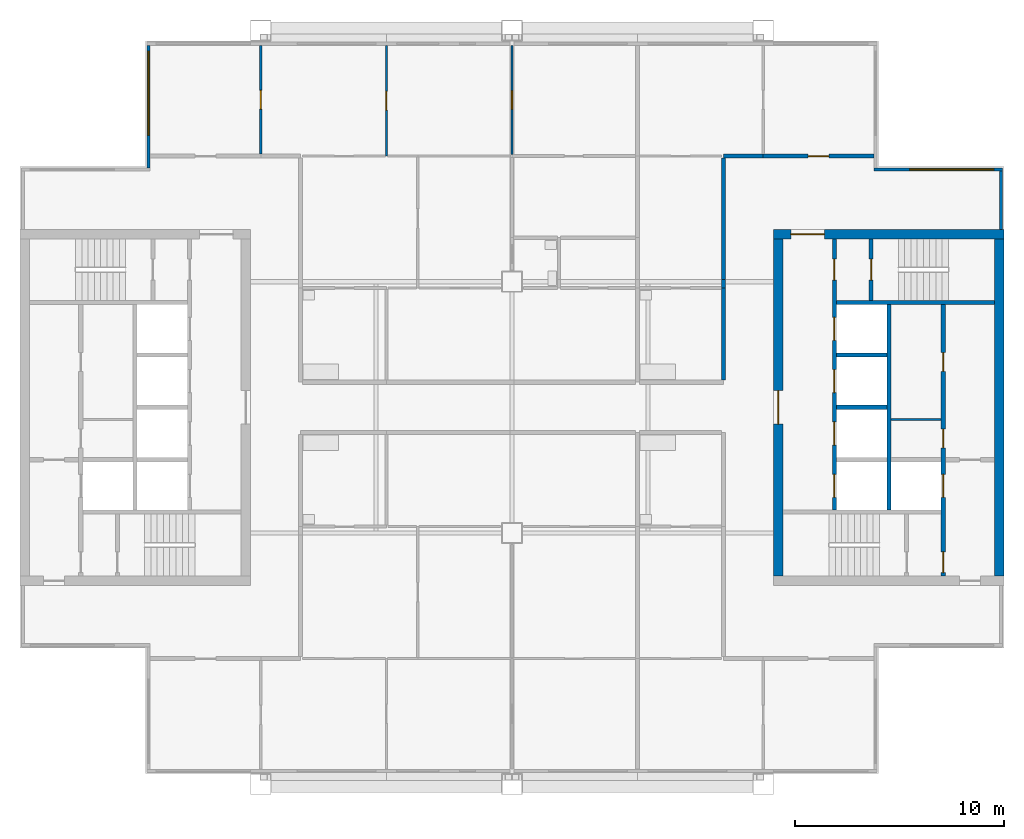
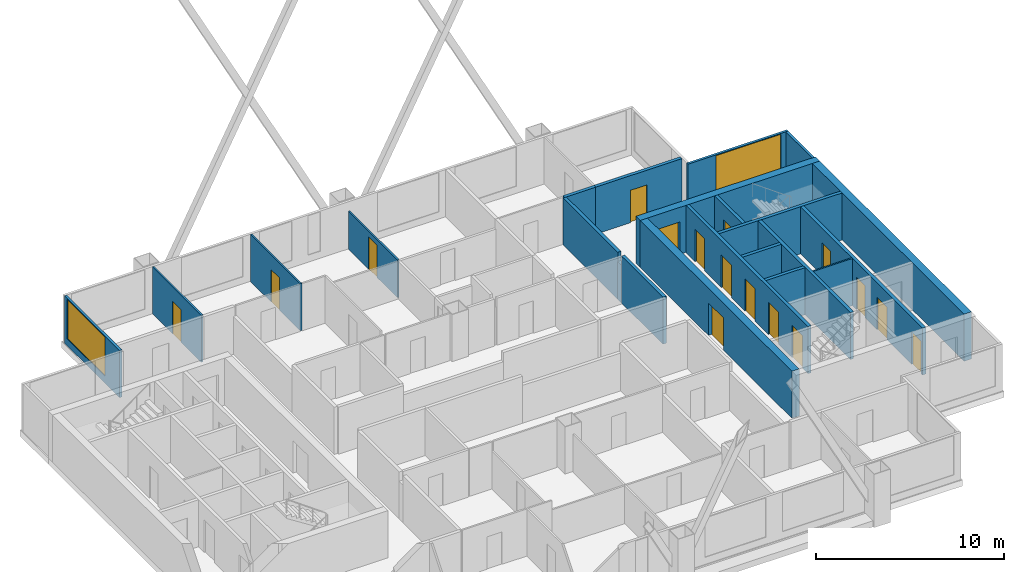
# One storey, part 5 of 8: 22 walls, 16 doors, 2 windows, 18 openings.
"""IFC4 building model written with IfcOpenShell, lengths in metres."""

import ifcopenshell
import ifcopenshell.guid

model = None  # the IFC model being written
_history = None  # IfcOwnerHistory: only IFC2X3 demands one
_inside = {}  # id of a spatial element -> (the spatial element, [elements in it])
_under = {}  # id of a project, library or spatial element -> (it, [spatial elements below it])
_declared = {}  # id of a project -> (the project, [libraries it declares])
_typed = {}  # id of a type object -> (the type object, [elements of that type])
_made_of = {}  # id of a material, layer set ... -> (it, [elements and type objects made of it])


def new_model(schema):
    """Start an empty IFC model of exactly this schema.

    Asked for "IFC4X3", IfcOpenShell would pick the latest addendum, in which some entities
    have other attributes; the version numbers below select the first issue.
    IFC2X3 requires an IfcOwnerHistory on every rooted entity: one is made here for all.
    """
    global model, _history
    if schema == "IFC4X3":
        model = ifcopenshell.file(schema_version=(4, 3, 0, 0))
    else:
        model = ifcopenshell.file(schema=schema)
    _inside.clear()
    _under.clear()
    _declared.clear()
    _typed.clear()
    _made_of.clear()
    _history = None
    if model.schema == "IFC2X3":
        org = make("IfcOrganization", Name="unknown")
        user = make(
            "IfcPersonAndOrganization",
            ThePerson=make("IfcPerson", FamilyName="unknown"),
            TheOrganization=org,
        )
        app = make(
            "IfcApplication",
            ApplicationDeveloper=org,
            Version="unknown",
            ApplicationFullName="unknown",
            ApplicationIdentifier="unknown",
        )
        _history = make(
            "IfcOwnerHistory",
            OwningUser=user,
            OwningApplication=app,
            ChangeAction="ADDED",
            CreationDate=0,
        )
    return model


def make(cls, **values):
    """One entity of the class cls with the attributes given. An attribute that is None is left unset."""
    return model.create_entity(
        cls, **{name: value for name, value in values.items() if value is not None}
    )


def rooted(cls, **values):
    """An entity with a GlobalId (a new one), such as an element, a storey or a relation."""
    return make(cls, GlobalId=ifcopenshell.guid.new(), OwnerHistory=_history, **values)


def si_unit(unit_type, name, prefix=None):
    """IfcSIUnit, for example si_unit("LENGTHUNIT", "METRE", prefix="MILLI")."""
    return make("IfcSIUnit", UnitType=unit_type, Prefix=prefix, Name=name)


def assignment(units):
    """IfcUnitAssignment: the units of a project."""
    return None if units is None else make("IfcUnitAssignment", Units=units)


def point(xyz):
    """IfcCartesianPoint."""
    return None if xyz is None else make("IfcCartesianPoint", Coordinates=xyz)


def direction(xyz):
    """IfcDirection."""
    return None if xyz is None else make("IfcDirection", DirectionRatios=xyz)


def frame(location, z_axis=None, x_axis=None):
    """IfcAxis2Placement3D, a coordinate frame: its origin and axes. An axis left out is left unset."""
    return make(
        "IfcAxis2Placement3D",
        Location=point(location),
        Axis=direction(z_axis),
        RefDirection=direction(x_axis),
    )


def frame_2d(location, x_axis=None):
    """IfcAxis2Placement2D, a coordinate frame in the plane: its origin and x axis."""
    return make(
        "IfcAxis2Placement2D", Location=point(location), RefDirection=direction(x_axis)
    )


def origin():
    """The frame at (0, 0, 0) with its axes left unset."""
    return frame((0.0, 0.0, 0.0))


def place(relative_to, where):
    """IfcLocalPlacement: puts the frame where relative to a parent placement (None: the world)."""
    return make(
        "IfcLocalPlacement", PlacementRelTo=relative_to, RelativePlacement=where
    )


def context(
    kind, dimensions, precision=None, world=None, true_north=None, identifier=None
):
    """IfcGeometricRepresentationContext, for example the 3D "Model" context."""
    return make(
        "IfcGeometricRepresentationContext",
        ContextIdentifier=identifier,
        ContextType=kind,
        CoordinateSpaceDimension=dimensions,
        Precision=precision,
        WorldCoordinateSystem=world,
        TrueNorth=true_north,
    )


def subcontext(parent, identifier, kind, view, scale=None):
    """IfcGeometricRepresentationSubContext, for example "Body" below "Model"."""
    return make(
        "IfcGeometricRepresentationSubContext",
        ContextIdentifier=identifier,
        ContextType=kind,
        ParentContext=parent,
        TargetScale=scale,
        TargetView=view,
    )


def project(units=None, contexts=None):
    """IfcProject with its units and contexts."""
    return rooted(
        "IfcProject",
        Name="project",
        RepresentationContexts=contexts,
        UnitsInContext=assignment(units),
    )


def spatial(cls, under=None, at=None, **own):
    """A site, building, storey or space (cls), placed at a placement, below another one or the project."""
    s = rooted(cls, ObjectPlacement=at, **own)
    if under is not None:
        _under.setdefault(under.id(), (under, []))[1].append(s)
    return s


def profile(cls, at=None, kind="AREA", **sizes):
    """A parametric profile (cls). Its sizes go by their IFC names, for example OverallWidth=200.0."""
    return make(cls, ProfileType=kind, Position=at, **sizes)


def rectangle(**sizes):
    """IfcRectangleProfileDef."""
    return profile("IfcRectangleProfileDef", **sizes)


def extrude(swept, where, along, depth):
    """IfcExtrudedAreaSolid: the profile swept, set in the frame where, extruded along a direction by depth."""
    return make(
        "IfcExtrudedAreaSolid",
        SweptArea=swept,
        Position=where,
        ExtrudedDirection=direction(along),
        Depth=depth,
    )


def shape(context_of_items, identifier, shape_type, items):
    """IfcShapeRepresentation: the items that make up one representation, for example the "Body"."""
    return make(
        "IfcShapeRepresentation",
        ContextOfItems=context_of_items,
        RepresentationIdentifier=identifier,
        RepresentationType=shape_type,
        Items=items,
    )


def material(Name=None, Category=None):
    """IfcMaterial."""
    return make("IfcMaterial", Name=Name, Category=Category)


def layer(
    of_material, thickness, ventilated=None, Name=None, Category=None, Priority=None
):
    """IfcMaterialLayer: one layer of a wall or slab, of a material (None: an air gap)."""
    return make(
        "IfcMaterialLayer",
        Material=of_material,
        LayerThickness=thickness,
        IsVentilated=ventilated,
        Name=Name,
        Category=Category,
        Priority=Priority,
    )


def layer_set(layers, Name=None):
    """IfcMaterialLayerSet."""
    return make("IfcMaterialLayerSet", MaterialLayers=layers, LayerSetName=Name)


def made_of(thing, what):
    """Note that an element or type object is made of a material, layer set ...; save() writes the relation."""
    if what is not None:
        _made_of.setdefault(what.id(), (what, []))[1].append(thing)
    return thing


def type_object(cls, material=None, **own):
    """A type object (cls), such as IfcWallType, which elements share."""
    return made_of(rooted(cls, **own), material)


def element(
    cls,
    number,
    at=None,
    inside=None,
    cuts=None,
    type_object=None,
    material=None,
    context=None,
    identifier="Body",
    shape_type=None,
    held_by="IfcProductDefinitionShape",
    body=None,
    shapes=None,
    **own,
):
    """One element of the class cls, such as IfcWall. Its Tag is "e" and its number.

    at: its placement. inside: the storey or other place that contains it. cuts: it is an
    opening in that element (IfcRelVoidsElement). A single representation is given by context,
    identifier, shape_type and body (its items); several are given by shapes. held_by: the class
    of the entity that holds the representations. save() writes the other relations.
    """
    e = rooted(cls, Tag="e%d" % number, ObjectPlacement=at, **own)
    if body is not None:
        shapes = [shape(context, identifier, shape_type, body)]
    if shapes is not None:
        e.Representation = make(held_by, Representations=shapes)
    if inside is not None:
        _inside.setdefault(inside.id(), (inside, []))[1].append(e)
    if cuts is not None:
        rooted(
            "IfcRelVoidsElement", RelatingBuildingElement=cuts, RelatedOpeningElement=e
        )
    if type_object is not None:
        _typed.setdefault(type_object.id(), (type_object, []))[1].append(e)
    return made_of(e, material)


def fill(opening, filler):
    """IfcRelFillsElement: the door or window that sits in an opening."""
    return rooted(
        "IfcRelFillsElement",
        RelatingOpeningElement=opening,
        RelatedBuildingElement=filler,
    )


def aggregate(whole, parts):
    """IfcRelAggregates: a whole, such as a stair, and the parts it consists of."""
    return rooted("IfcRelAggregates", RelatingObject=whole, RelatedObjects=parts)


def save(model, path):
    """Write the relations noted so far, then the file.

    IfcRelAggregates (storeys below a building ...), IfcRelContainedInSpatialStructure (elements
    in a storey), IfcRelDefinesByType, IfcRelAssociatesMaterial and IfcRelDeclares: one each for
    every whole, place, type object, material and project.
    """
    for whole, parts in _under.values():
        aggregate(whole, parts)
    for where, things in _inside.values():
        rooted(
            "IfcRelContainedInSpatialStructure",
            RelatedElements=things,
            RelatingStructure=where,
        )
    for kind, things in _typed.values():
        rooted("IfcRelDefinesByType", RelatedObjects=things, RelatingType=kind)
    for what, things in _made_of.values():
        rooted("IfcRelAssociatesMaterial", RelatedObjects=things, RelatingMaterial=what)
    for by, libraries in _declared.values():
        rooted("IfcRelDeclares", RelatingContext=by, RelatedDefinitions=libraries)
    model.write(path)


model = new_model("IFC4")

# Units and contexts
model_context = context("Model", 3, precision=1e-05, world=origin(), true_north=direction((0.0, 1.0)))
body_context = subcontext(model_context, "Body", "Model", "MODEL_VIEW")
ifc_project = project(units=[si_unit("LENGTHUNIT", "METRE"), si_unit("AREAUNIT", "SQUARE_METRE"), si_unit("VOLUMEUNIT", "CUBIC_METRE"), si_unit("PLANEANGLEUNIT", "RADIAN"), si_unit("MASSUNIT", "GRAM", prefix="KILO")], contexts=[model_context])

# Site, building, storey
site_placement = place(None, origin())
site = spatial("IfcSite", under=ifc_project, at=site_placement, CompositionType="ELEMENT")
building_placement = place(site_placement, origin())
building = spatial("IfcBuilding", under=site, at=building_placement, Name="Kitamizu Gate Tower and Museum", CompositionType="ELEMENT")
storey_placement = place(building_placement, frame((0.0, 0.0, 259.35009765625)))
storey = spatial("IfcBuildingStorey", under=building, at=storey_placement, Name="L70", CompositionType="ELEMENT", Elevation=259.35009765625)

# Wall, opening, door
ifc_material_1 = material(Name="Concrete Fc42", Category="concrete")
ifc_layer_1 = layer(ifc_material_1, 0.449951171875)
ifc_layer_set_1 = layer_set([ifc_layer_1], Name="Concrete Fc42")
wall_type_1 = type_object("IfcWallType", Name="Core wall 450 EI 90", PredefinedType="SHEAR", material=ifc_layer_set_1)
wall_1_placement = place(storey_placement, frame((59.5, 38.27490234375, 0.0), z_axis=(0.0, 0.0, 1.0), x_axis=(-1.0, 0.0, 0.0)))
wall_1 = element("IfcWall", 1, at=wall_1_placement, inside=storey, type_object=wall_type_1, Name="Core wall EN", PredefinedType="SHEAR", context=body_context, shape_type="SweptSolid", body=[
    extrude(rectangle(XDim=11.0, YDim=0.449951171875, at=frame_2d((5.5, 0.0))), origin(), (0.0, 0.0, 1.0), 3.0498046875),
])
opening_1_placement = place(wall_1_placement, frame((8.574951171875, 0.0, 0.0)))
opening_1 = element("IfcOpeningElement", 2, at=opening_1_placement, cuts=wall_1, Name="Opening L70-045", PredefinedType="OPENING", context=body_context, shape_type="SweptSolid", body=[
    extrude(rectangle(XDim=1.60009765625, YDim=2.10009765625, at=frame_2d((0.800048828125, 1.050048828125))), frame((0.0, 0.23486328125, 0.0), z_axis=(0.0, -1.0, 0.0), x_axis=(1.0, 0.0, 0.0)), (0.0, 0.0, 1.0), 0.469970703125),
])
ifc_material_2 = material(Name="Timber door set", Category="wood")
door_type_1 = type_object("IfcDoorType", Name="Entrance door 1600", OperationType="DOUBLE_DOOR_SINGLE_SWING", PredefinedType="DOOR", material=ifc_material_2)
door_1_placement = place(opening_1_placement, origin())
door_1 = element("IfcDoor", 3, at=door_1_placement, inside=storey, type_object=door_type_1, Name="Lobby door L70-045", OperationType="DOUBLE_DOOR_SINGLE_SWING", OverallHeight=2.10009765625, OverallWidth=1.60009765625, PredefinedType="DOOR", context=body_context, shape_type="SweptSolid", body=[
    extrude(rectangle(XDim=1.60009765625, YDim=2.10009765625, at=frame_2d((0.800048828125, 1.050048828125))), frame((0.0, 0.02490234375, 0.0), z_axis=(0.0, -1.0, 0.0), x_axis=(1.0, 0.0, 0.0)), (0.0, 0.0, 1.0), 0.050048828125),
])
fill(opening_1, door_1)

# Wall
wall_2_placement = place(storey_placement, frame((59.27490234375, 21.949951171875, 0.0), z_axis=(0.0, 0.0, 1.0), x_axis=(0.0, 1.0, 0.0)))
element("IfcWall", 4, at=wall_2_placement, inside=storey, type_object=wall_type_1, Name="Core wall EOUT", PredefinedType="SHEAR", context=body_context, shape_type="SweptSolid", body=[
    extrude(rectangle(XDim=16.10009765625, YDim=0.449951171875, at=frame_2d((8.050048828125, 0.0))), origin(), (0.0, 0.0, 1.0), 3.0498046875),
])

# Wall, opening, door
wall_3_placement = place(storey_placement, frame((48.72509765625, 21.949951171875, 0.0), z_axis=(0.0, 0.0, 1.0), x_axis=(0.0, 1.0, 0.0)))
wall_3 = element("IfcWall", 5, at=wall_3_placement, inside=storey, type_object=wall_type_1, Name="Core wall EARC", PredefinedType="SHEAR", context=body_context, shape_type="SweptSolid", body=[
    extrude(rectangle(XDim=16.10009765625, YDim=0.449951171875, at=frame_2d((8.050048828125, 0.0))), origin(), (0.0, 0.0, 1.0), 3.0498046875),
])
opening_2_placement = place(wall_3_placement, frame((7.25, 0.0, 0.0)))
opening_2 = element("IfcOpeningElement", 6, at=opening_2_placement, cuts=wall_3, Name="Opening L70-046", PredefinedType="OPENING", context=body_context, shape_type="SweptSolid", body=[
    extrude(rectangle(XDim=1.60009765625, YDim=2.10009765625, at=frame_2d((0.800048828125, 1.050048828125))), frame((0.0, 0.23486328125, 0.0), z_axis=(0.0, -1.0, 0.0), x_axis=(1.0, 0.0, 0.0)), (0.0, 0.0, 1.0), 0.469970703125),
])
door_2_placement = place(opening_2_placement, origin())
door_2 = element("IfcDoor", 7, at=door_2_placement, inside=storey, type_object=door_type_1, Name="Lobby door L70-046", OperationType="DOUBLE_DOOR_SINGLE_SWING", OverallHeight=2.10009765625, OverallWidth=1.60009765625, PredefinedType="DOOR", context=body_context, shape_type="SweptSolid", body=[
    extrude(rectangle(XDim=1.60009765625, YDim=2.10009765625, at=frame_2d((0.800048828125, 1.050048828125))), frame((0.0, 0.02490234375, 0.0), z_axis=(0.0, -1.0, 0.0), x_axis=(1.0, 0.0, 0.0)), (0.0, 0.0, 1.0), 0.050048828125),
])
fill(opening_2, door_2)

# Wall
ifc_material_3 = material(Name="Gypsum board on galvanised stud")
ifc_layer_2 = layer(ifc_material_3, 0.10009765625)
ifc_layer_set_2 = layer_set([ifc_layer_2], Name="Gypsum board on galvanised stud")
wall_type_2 = type_object("IfcWallType", Name="Partition 100", PredefinedType="PARTITIONING", material=ifc_layer_set_2)
wall_4_placement = place(storey_placement, frame((56.5, 29.425048828125, 0.0), z_axis=(0.0, 0.0, 1.0), x_axis=(-1.0, 0.0, 0.0)))
element("IfcWall", 8, at=wall_4_placement, inside=storey, type_object=wall_type_2, Name="Partition EPF1", PredefinedType="PARTITIONING", context=body_context, shape_type="SweptSolid", body=[
    extrude(rectangle(XDim=2.39990234375, YDim=0.10009765625, at=frame_2d((1.199951171875, 0.0))), origin(), (0.0, 0.0, 1.0), 3.0498046875),
])

# Wall, opening, door
ifc_material_4 = material(Name="Gypsum board on galvanised stud")
ifc_layer_3 = layer(ifc_material_4, 0.10009765625)
ifc_layer_set_3 = layer_set([ifc_layer_3], Name="Gypsum board on galvanised stud")
wall_type_3 = type_object("IfcWallType", Name="Partition 100 NOT RATED", PredefinedType="PARTITIONING", material=ifc_layer_set_3)
wall_5_placement = place(storey_placement, frame((24.0, 42.10009765625, 0.0), z_axis=(0.0, 0.0, 1.0), x_axis=(0.0, 1.0, 0.0)))
wall_5 = element("IfcWall", 9, at=wall_5_placement, inside=storey, type_object=wall_type_3, Name="Partition L70-026", PredefinedType="PARTITIONING", context=body_context, shape_type="SweptSolid", body=[
    extrude(rectangle(XDim=5.179931640625, YDim=0.10009765625, at=frame_2d((2.58984375, 0.0))), origin(), (0.0, 0.0, 1.0), 3.0498046875),
])
opening_3_placement = place(wall_5_placement, frame((2.139892578125, 0.0, 0.0)))
opening_3 = element("IfcOpeningElement", 10, at=opening_3_placement, cuts=wall_5, Name="Opening L70-011", PredefinedType="OPENING", context=body_context, shape_type="SweptSolid", body=[
    extrude(rectangle(XDim=0.89990234375, YDim=2.10009765625, at=frame_2d((0.449951171875, 1.050048828125))), frame((0.0, 0.06005859375, 0.0), z_axis=(0.0, -1.0, 0.0), x_axis=(1.0, 0.0, 0.0)), (0.0, 0.0, 1.0), 0.1201171875),
])
ifc_material_5 = material(Name="Timber door set", Category="wood")
door_type_2 = type_object("IfcDoorType", Name="Room door 900", OperationType="NOTDEFINED", PredefinedType="DOOR", material=ifc_material_5)
door_3_placement = place(opening_3_placement, frame((0.89990234375, 0.0, 0.0), x_axis=(-1.0, 0.0, 0.0)))
door_3 = element("IfcDoor", 11, at=door_3_placement, inside=storey, type_object=door_type_2, Name="Door L70-011", OperationType="SINGLE_SWING_LEFT", OverallHeight=2.10009765625, OverallWidth=0.89990234375, PredefinedType="DOOR", context=body_context, shape_type="SweptSolid", body=[
    extrude(rectangle(XDim=0.89990234375, YDim=2.10009765625, at=frame_2d((0.449951171875, 1.050048828125))), frame((0.0, 0.02490234375, 0.0), z_axis=(0.0, -1.0, 0.0), x_axis=(1.0, 0.0, 0.0)), (0.0, 0.0, 1.0), 0.050048828125),
])
fill(opening_3, door_3)

wall_6_placement = place(storey_placement, frame((30.0, 42.0, 0.0), z_axis=(0.0, 0.0, 1.0), x_axis=(0.0, 1.0, 0.0)))
wall_6 = element("IfcWall", 12, at=wall_6_placement, inside=storey, type_object=wall_type_3, Name="Partition L70-028", PredefinedType="PARTITIONING", context=body_context, shape_type="SweptSolid", body=[
    extrude(rectangle(XDim=5.280029296875, YDim=0.10009765625, at=frame_2d((2.64013671875, 0.0))), origin(), (0.0, 0.0, 1.0), 3.0498046875),
])
opening_4_placement = place(wall_6_placement, frame((2.18994140625, 0.0, 0.0)))
opening_4 = element("IfcOpeningElement", 13, at=opening_4_placement, cuts=wall_6, Name="Opening L70-012", PredefinedType="OPENING", context=body_context, shape_type="SweptSolid", body=[
    extrude(rectangle(XDim=0.89990234375, YDim=2.10009765625, at=frame_2d((0.449951171875, 1.050048828125))), frame((0.0, 0.06005859375, 0.0), z_axis=(0.0, -1.0, 0.0), x_axis=(1.0, 0.0, 0.0)), (0.0, 0.0, 1.0), 0.1201171875),
])
door_4_placement = place(opening_4_placement, origin())
door_4 = element("IfcDoor", 14, at=door_4_placement, inside=storey, type_object=door_type_2, Name="Door L70-012", OperationType="SINGLE_SWING_LEFT", OverallHeight=2.10009765625, OverallWidth=0.89990234375, PredefinedType="DOOR", context=body_context, shape_type="SweptSolid", body=[
    extrude(rectangle(XDim=0.89990234375, YDim=2.10009765625, at=frame_2d((0.449951171875, 1.050048828125))), frame((0.0, 0.02490234375, 0.0), z_axis=(0.0, -1.0, 0.0), x_axis=(1.0, 0.0, 0.0)), (0.0, 0.0, 1.0), 0.050048828125),
])
fill(opening_4, door_4)

wall_7_placement = place(storey_placement, frame((36.0, 42.074951171875, 0.0), z_axis=(0.0, 0.0, 1.0), x_axis=(0.0, 1.0, 0.0)))
wall_7 = element("IfcWall", 15, at=wall_7_placement, inside=storey, type_object=wall_type_3, Name="Partition L70-031", PredefinedType="PARTITIONING", context=body_context, shape_type="SweptSolid", body=[
    extrude(rectangle(XDim=5.205078125, YDim=0.10009765625, at=frame_2d((2.6025390625, 0.0))), origin(), (0.0, 0.0, 1.0), 2.449951171875),
])
opening_5_placement = place(wall_7_placement, frame((2.152587890625, 0.0, 0.0)))
opening_5 = element("IfcOpeningElement", 16, at=opening_5_placement, cuts=wall_7, Name="Opening L70-013", PredefinedType="OPENING", context=body_context, shape_type="SweptSolid", body=[
    extrude(rectangle(XDim=0.89990234375, YDim=2.10009765625, at=frame_2d((0.449951171875, 1.050048828125))), frame((0.0, 0.06005859375, 0.0), z_axis=(0.0, -1.0, 0.0), x_axis=(1.0, 0.0, 0.0)), (0.0, 0.0, 1.0), 0.1201171875),
])
door_5_placement = place(opening_5_placement, origin())
door_5 = element("IfcDoor", 17, at=door_5_placement, inside=storey, type_object=door_type_2, Name="Door L70-013", OperationType="SINGLE_SWING_RIGHT", OverallHeight=2.10009765625, OverallWidth=0.89990234375, PredefinedType="DOOR", context=body_context, shape_type="SweptSolid", body=[
    extrude(rectangle(XDim=0.89990234375, YDim=2.10009765625, at=frame_2d((0.449951171875, 1.050048828125))), frame((0.0, 0.02490234375, 0.0), z_axis=(0.0, -1.0, 0.0), x_axis=(1.0, 0.0, 0.0)), (0.0, 0.0, 1.0), 0.050048828125),
])
fill(opening_5, door_5)

# Wall
ifc_material_6 = material(Name="Gypsum board on galvanised stud")
ifc_layer_4 = layer(ifc_material_6, 0.199951171875)
ifc_layer_set_4 = layer_set([ifc_layer_4], Name="Gypsum board on galvanised stud")
wall_type_4 = type_object("IfcWallType", Name="Partition 200", PredefinedType="PARTITIONING", material=ifc_layer_set_4)
wall_8_placement = place(storey_placement, frame((46.10009765625, 42.0, 0.0), z_axis=(0.0, 0.0, 1.0), x_axis=(1.0, 0.0, 0.0)))
element("IfcWall", 18, at=wall_8_placement, inside=storey, type_object=wall_type_4, Name="Partition L70-069", PredefinedType="PARTITIONING", context=body_context, shape_type="SweptSolid", body=[
    extrude(rectangle(XDim=1.89990234375, YDim=0.199951171875, at=frame_2d((0.949951171875, 0.0))), origin(), (0.0, 0.0, 1.0), 3.0498046875),
])

# Wall, opening, door
wall_9_placement = place(storey_placement, frame((48.0, 42.0, 0.0), z_axis=(0.0, 0.0, 1.0), x_axis=(1.0, 0.0, 0.0)))
wall_9 = element("IfcWall", 19, at=wall_9_placement, inside=storey, type_object=wall_type_4, Name="Partition L70-070", PredefinedType="PARTITIONING", context=body_context, shape_type="SweptSolid", body=[
    extrude(rectangle(XDim=5.280029296875, YDim=0.199951171875, at=frame_2d((2.64013671875, 0.0))), origin(), (0.0, 0.0, 1.0), 3.0498046875),
])
opening_6_placement = place(wall_9_placement, frame((2.139892578125, 0.0, 0.0)))
opening_6 = element("IfcOpeningElement", 20, at=opening_6_placement, cuts=wall_9, Name="Opening L70-025", PredefinedType="OPENING", context=body_context, shape_type="SweptSolid", body=[
    extrude(rectangle(XDim=1.0, YDim=2.10009765625, at=frame_2d((0.5, 1.050048828125))), frame((0.0, 0.10986328125, 0.0), z_axis=(0.0, -1.0, 0.0), x_axis=(1.0, 0.0, 0.0)), (0.0, 0.0, 1.0), 0.219970703125),
])
ifc_material_7 = material(Name="Timber door set", Category="wood")
door_type_3 = type_object("IfcDoorType", Name="Flat entrance door 1000", OperationType="NOTDEFINED", PredefinedType="DOOR", material=ifc_material_7)
door_6_placement = place(opening_6_placement, origin())
door_6 = element("IfcDoor", 21, at=door_6_placement, inside=storey, type_object=door_type_3, Name="Flat entrance door L70-025", OperationType="SINGLE_SWING_RIGHT", OverallHeight=2.10009765625, OverallWidth=1.0, PredefinedType="DOOR", context=body_context, shape_type="SweptSolid", body=[
    extrude(rectangle(XDim=1.0, YDim=2.10009765625, at=frame_2d((0.5, 1.050048828125))), frame((0.0, 0.02490234375, 0.0), z_axis=(0.0, -1.0, 0.0), x_axis=(1.0, 0.0, 0.0)), (0.0, 0.0, 1.0), 0.050048828125),
])
fill(opening_6, door_6)

# Walls
wall_10_placement = place(storey_placement, frame((46.10009765625, 35.699951171875, 0.0), z_axis=(0.0, 0.0, 1.0), x_axis=(0.0, 1.0, 0.0)))
element("IfcWall", 22, at=wall_10_placement, inside=storey, type_object=wall_type_4, Name="Partition L70-072", PredefinedType="PARTITIONING", context=body_context, shape_type="SweptSolid", body=[
    extrude(rectangle(XDim=0.400146484375, YDim=0.199951171875, at=frame_2d((0.2001953125, 0.0))), origin(), (0.0, 0.0, 1.0), 2.449951171875),
])
wall_11_placement = place(storey_placement, frame((46.10009765625, 36.10009765625, 0.0), z_axis=(0.0, 0.0, 1.0), x_axis=(0.0, 1.0, 0.0)))
element("IfcWall", 23, at=wall_11_placement, inside=storey, type_object=wall_type_4, Name="Partition L70-073", PredefinedType="PARTITIONING", context=body_context, shape_type="SweptSolid", body=[
    extrude(rectangle(XDim=5.7998046875, YDim=0.199951171875, at=frame_2d((2.89990234375, 0.0))), origin(), (0.0, 0.0, 1.0), 3.0498046875),
])
wall_12_placement = place(storey_placement, frame((46.10009765625, 31.300048828125, 0.0), z_axis=(0.0, 0.0, 1.0), x_axis=(0.0, 1.0, 0.0)))
element("IfcWall", 24, at=wall_12_placement, inside=storey, type_object=wall_type_4, Name="Partition L70-075", PredefinedType="PARTITIONING", context=body_context, shape_type="SweptSolid", body=[
    extrude(rectangle(XDim=4.39990234375, YDim=0.199951171875, at=frame_2d((2.199951171875, 0.0))), origin(), (0.0, 0.0, 1.0), 3.0498046875),
])

# Wall, openings, doors
ifc_material_8 = material(Name="Concrete Fc42", Category="concrete")
ifc_layer_5 = layer(ifc_material_8, 0.199951171875)
ifc_layer_set_5 = layer_set([ifc_layer_5], Name="Concrete Fc42")
wall_type_5 = type_object("IfcWallType", Name="Shaft wall 200", PredefinedType="SOLIDWALL", material=ifc_layer_set_5)
wall_13_placement = place(storey_placement, frame((56.60009765625, 21.949951171875, 0.0), z_axis=(0.0, 0.0, 1.0), x_axis=(0.0, 1.0, 0.0)))
wall_13 = element("IfcWall", 25, at=wall_13_placement, inside=storey, type_object=wall_type_5, Name="Shaft wall EWEST", PredefinedType="SOLIDWALL", context=body_context, shape_type="SweptSolid", body=[
    extrude(rectangle(XDim=12.949951171875, YDim=0.199951171875, at=frame_2d((6.47509765625, 0.0))), origin(), (0.0, 0.0, 1.0), 3.0498046875),
])
opening_7_placement = place(wall_13_placement, frame((3.75, 0.0, 0.0)))
opening_7 = element("IfcOpeningElement", 26, at=opening_7_placement, cuts=wall_13, Name="Opening LD", PredefinedType="OPENING", context=body_context, shape_type="SweptSolid", body=[
    extrude(rectangle(XDim=1.10009765625, YDim=2.10009765625, at=frame_2d((0.550048828125, 1.050048828125))), frame((0.0, 0.10986328125, 0.0), z_axis=(0.0, -1.0, 0.0), x_axis=(1.0, 0.0, 0.0)), (0.0, 0.0, 1.0), 0.219970703125),
])
opening_8_placement = place(wall_13_placement, frame((0.14990234375, 0.0, 0.0)))
opening_8 = element("IfcOpeningElement", 27, at=opening_8_placement, cuts=wall_13, Name="Opening L70-040", PredefinedType="OPENING", context=body_context, shape_type="SweptSolid", body=[
    extrude(rectangle(XDim=1.0, YDim=2.10009765625, at=frame_2d((0.5, 1.050048828125))), frame((0.0, 0.10986328125, 0.0), z_axis=(0.0, -1.0, 0.0), x_axis=(1.0, 0.0, 0.0)), (0.0, 0.0, 1.0), 0.219970703125),
])
opening_9_placement = place(wall_13_placement, frame((6.112548828125, 0.0, 0.0)))
opening_9 = element("IfcOpeningElement", 28, at=opening_9_placement, cuts=wall_13, Name="Opening L70-047", PredefinedType="OPENING", context=body_context, shape_type="SweptSolid", body=[
    extrude(rectangle(XDim=0.89990234375, YDim=2.10009765625, at=frame_2d((0.449951171875, 1.050048828125))), frame((0.0, 0.10986328125, 0.0), z_axis=(0.0, -1.0, 0.0), x_axis=(1.0, 0.0, 0.0)), (0.0, 0.0, 1.0), 0.219970703125),
])
opening_10_placement = place(wall_13_placement, frame((9.762451171875, 0.0, 0.0)))
opening_10 = element("IfcOpeningElement", 29, at=opening_10_placement, cuts=wall_13, Name="Opening L70-048", PredefinedType="OPENING", context=body_context, shape_type="SweptSolid", body=[
    extrude(rectangle(XDim=0.89990234375, YDim=2.10009765625, at=frame_2d((0.449951171875, 1.050048828125))), frame((0.0, 0.10986328125, 0.0), z_axis=(0.0, -1.0, 0.0), x_axis=(1.0, 0.0, 0.0)), (0.0, 0.0, 1.0), 0.219970703125),
])
ifc_material_9 = material(Name="Hollow metal door set")
door_type_4 = type_object("IfcDoorType", Name="Fire door 1000", OperationType="NOTDEFINED", PredefinedType="DOOR", material=ifc_material_9)
door_7_placement = place(opening_8_placement, origin())
door_7 = element("IfcDoor", 30, at=door_7_placement, inside=storey, type_object=door_type_4, Name="Stair lobby door L70-040", OperationType="SINGLE_SWING_RIGHT", OverallHeight=2.10009765625, OverallWidth=1.0, PredefinedType="DOOR", context=body_context, shape_type="SweptSolid", body=[
    extrude(rectangle(XDim=1.0, YDim=2.10009765625, at=frame_2d((0.5, 1.050048828125))), frame((0.0, 0.02490234375, 0.0), z_axis=(0.0, -1.0, 0.0), x_axis=(1.0, 0.0, 0.0)), (0.0, 0.0, 1.0), 0.050048828125),
])
fill(opening_8, door_7)
ifc_material_10 = material(Name="Hollow metal door set")
door_type_5 = type_object("IfcDoorType", Name="Landing door 1100", OperationType="SLIDING_TO_LEFT", PredefinedType="DOOR", material=ifc_material_10)
door_8_placement = place(opening_7_placement, origin())
door_8 = element("IfcDoor", 31, at=door_8_placement, inside=storey, type_object=door_type_5, Name="Landing door EFF1", OperationType="SLIDING_TO_LEFT", OverallHeight=2.10009765625, OverallWidth=1.10009765625, PredefinedType="DOOR", context=body_context, shape_type="SweptSolid", body=[
    extrude(rectangle(XDim=1.10009765625, YDim=2.10009765625, at=frame_2d((0.550048828125, 1.050048828125))), frame((0.0, 0.02490234375, 0.0), z_axis=(0.0, -1.0, 0.0), x_axis=(1.0, 0.0, 0.0)), (0.0, 0.0, 1.0), 0.050048828125),
])
fill(opening_7, door_8)
ifc_material_11 = material(Name="Timber door set", Category="wood")
door_type_6 = type_object("IfcDoorType", Name="Service door 900", OperationType="NOTDEFINED", PredefinedType="DOOR", material=ifc_material_11)
door_9_placement = place(opening_9_placement, origin())
door_9 = element("IfcDoor", 32, at=door_9_placement, inside=storey, type_object=door_type_6, Name="Service door L70-047", OperationType="SINGLE_SWING_RIGHT", OverallHeight=2.10009765625, OverallWidth=0.89990234375, PredefinedType="DOOR", context=body_context, shape_type="SweptSolid", body=[
    extrude(rectangle(XDim=0.89990234375, YDim=2.10009765625, at=frame_2d((0.449951171875, 1.050048828125))), frame((0.0, 0.02490234375, 0.0), z_axis=(0.0, -1.0, 0.0), x_axis=(1.0, 0.0, 0.0)), (0.0, 0.0, 1.0), 0.050048828125),
])
fill(opening_9, door_9)
door_10_placement = place(opening_10_placement, origin())
door_10 = element("IfcDoor", 33, at=door_10_placement, inside=storey, type_object=door_type_6, Name="Service door L70-048", OperationType="SINGLE_SWING_LEFT", OverallHeight=2.10009765625, OverallWidth=0.89990234375, PredefinedType="DOOR", context=body_context, shape_type="SweptSolid", body=[
    extrude(rectangle(XDim=0.89990234375, YDim=2.10009765625, at=frame_2d((0.449951171875, 1.050048828125))), frame((0.0, 0.02490234375, 0.0), z_axis=(0.0, -1.0, 0.0), x_axis=(1.0, 0.0, 0.0)), (0.0, 0.0, 1.0), 0.050048828125),
])
fill(opening_10, door_10)

wall_14_placement = place(storey_placement, frame((51.39990234375, 25.10009765625, 0.0), z_axis=(0.0, 0.0, 1.0), x_axis=(0.0, 1.0, 0.0)))
wall_14 = element("IfcWall", 34, at=wall_14_placement, inside=storey, type_object=wall_type_5, Name="Shaft wall EEAST", PredefinedType="SOLIDWALL", context=body_context, shape_type="SweptSolid", body=[
    extrude(rectangle(XDim=12.949951171875, YDim=0.199951171875, at=frame_2d((6.47509765625, 0.0))), origin(), (0.0, 0.0, 1.0), 3.0498046875),
])
opening_11_placement = place(wall_14_placement, frame((0.60009765625, 0.0, 0.0)))
opening_11 = element("IfcOpeningElement", 35, at=opening_11_placement, cuts=wall_14, Name="Opening LD", PredefinedType="OPENING", context=body_context, shape_type="SweptSolid", body=[
    extrude(rectangle(XDim=1.10009765625, YDim=2.10009765625, at=frame_2d((0.550048828125, 1.050048828125))), frame((0.0, 0.10986328125, 0.0), z_axis=(0.0, -1.0, 0.0), x_axis=(1.0, 0.0, 0.0)), (0.0, 0.0, 1.0), 0.219970703125),
])
opening_12_placement = place(wall_14_placement, frame((3.10009765625, 0.0, 0.0)))
opening_12 = element("IfcOpeningElement", 36, at=opening_12_placement, cuts=wall_14, Name="Opening LD", PredefinedType="OPENING", context=body_context, shape_type="SweptSolid", body=[
    extrude(rectangle(XDim=1.10009765625, YDim=2.10009765625, at=frame_2d((0.550048828125, 1.050048828125))), frame((0.0, 0.10986328125, 0.0), z_axis=(0.0, -1.0, 0.0), x_axis=(1.0, 0.0, 0.0)), (0.0, 0.0, 1.0), 0.219970703125),
])
opening_13_placement = place(wall_14_placement, frame((5.60009765625, 0.0, 0.0)))
opening_13 = element("IfcOpeningElement", 37, at=opening_13_placement, cuts=wall_14, Name="Opening LD", PredefinedType="OPENING", context=body_context, shape_type="SweptSolid", body=[
    extrude(rectangle(XDim=1.10009765625, YDim=2.10009765625, at=frame_2d((0.550048828125, 1.050048828125))), frame((0.0, 0.10986328125, 0.0), z_axis=(0.0, -1.0, 0.0), x_axis=(1.0, 0.0, 0.0)), (0.0, 0.0, 1.0), 0.219970703125),
])
opening_14_placement = place(wall_14_placement, frame((8.10009765625, 0.0, 0.0)))
opening_14 = element("IfcOpeningElement", 38, at=opening_14_placement, cuts=wall_14, Name="Opening LD", PredefinedType="OPENING", context=body_context, shape_type="SweptSolid", body=[
    extrude(rectangle(XDim=1.10009765625, YDim=2.10009765625, at=frame_2d((0.550048828125, 1.050048828125))), frame((0.0, 0.10986328125, 0.0), z_axis=(0.0, -1.0, 0.0), x_axis=(1.0, 0.0, 0.0)), (0.0, 0.0, 1.0), 0.219970703125),
])
opening_15_placement = place(wall_14_placement, frame((10.97509765625, 0.0, 0.0)))
opening_15 = element("IfcOpeningElement", 39, at=opening_15_placement, cuts=wall_14, Name="Opening L70-041", PredefinedType="OPENING", context=body_context, shape_type="SweptSolid", body=[
    extrude(rectangle(XDim=1.0, YDim=2.10009765625, at=frame_2d((0.5, 1.050048828125))), frame((0.0, 0.10986328125, 0.0), z_axis=(0.0, -1.0, 0.0), x_axis=(1.0, 0.0, 0.0)), (0.0, 0.0, 1.0), 0.219970703125),
])
door_11_placement = place(opening_15_placement, frame((1.0, 0.0, 0.0), x_axis=(-1.0, 0.0, 0.0)))
door_11 = element("IfcDoor", 40, at=door_11_placement, inside=storey, type_object=door_type_4, Name="Stair lobby door L70-041", OperationType="SINGLE_SWING_LEFT", OverallHeight=2.10009765625, OverallWidth=1.0, PredefinedType="DOOR", context=body_context, shape_type="SweptSolid", body=[
    extrude(rectangle(XDim=1.0, YDim=2.10009765625, at=frame_2d((0.5, 1.050048828125))), frame((0.0, 0.02490234375, 0.0), z_axis=(0.0, -1.0, 0.0), x_axis=(1.0, 0.0, 0.0)), (0.0, 0.0, 1.0), 0.050048828125),
])
fill(opening_15, door_11)
door_12_placement = place(opening_11_placement, origin())
door_12 = element("IfcDoor", 41, at=door_12_placement, inside=storey, type_object=door_type_5, Name="Landing door ESV1", OperationType="SLIDING_TO_LEFT", OverallHeight=2.10009765625, OverallWidth=1.10009765625, PredefinedType="DOOR", context=body_context, shape_type="SweptSolid", body=[
    extrude(rectangle(XDim=1.10009765625, YDim=2.10009765625, at=frame_2d((0.550048828125, 1.050048828125))), frame((0.0, 0.02490234375, 0.0), z_axis=(0.0, -1.0, 0.0), x_axis=(1.0, 0.0, 0.0)), (0.0, 0.0, 1.0), 0.050048828125),
])
fill(opening_11, door_12)
door_13_placement = place(opening_12_placement, origin())
door_13 = element("IfcDoor", 42, at=door_13_placement, inside=storey, type_object=door_type_5, Name="Landing door EH1", OperationType="SLIDING_TO_LEFT", OverallHeight=2.10009765625, OverallWidth=1.10009765625, PredefinedType="DOOR", context=body_context, shape_type="SweptSolid", body=[
    extrude(rectangle(XDim=1.10009765625, YDim=2.10009765625, at=frame_2d((0.550048828125, 1.050048828125))), frame((0.0, 0.02490234375, 0.0), z_axis=(0.0, -1.0, 0.0), x_axis=(1.0, 0.0, 0.0)), (0.0, 0.0, 1.0), 0.050048828125),
])
fill(opening_12, door_13)
door_14_placement = place(opening_13_placement, origin())
door_14 = element("IfcDoor", 43, at=door_14_placement, inside=storey, type_object=door_type_5, Name="Landing door EH2", OperationType="SLIDING_TO_LEFT", OverallHeight=2.10009765625, OverallWidth=1.10009765625, PredefinedType="DOOR", context=body_context, shape_type="SweptSolid", body=[
    extrude(rectangle(XDim=1.10009765625, YDim=2.10009765625, at=frame_2d((0.550048828125, 1.050048828125))), frame((0.0, 0.02490234375, 0.0), z_axis=(0.0, -1.0, 0.0), x_axis=(1.0, 0.0, 0.0)), (0.0, 0.0, 1.0), 0.050048828125),
])
fill(opening_13, door_14)
door_15_placement = place(opening_14_placement, origin())
door_15 = element("IfcDoor", 44, at=door_15_placement, inside=storey, type_object=door_type_5, Name="Landing door EH3", OperationType="SLIDING_TO_LEFT", OverallHeight=2.10009765625, OverallWidth=1.10009765625, PredefinedType="DOOR", context=body_context, shape_type="SweptSolid", body=[
    extrude(rectangle(XDim=1.10009765625, YDim=2.10009765625, at=frame_2d((0.550048828125, 1.050048828125))), frame((0.0, 0.02490234375, 0.0), z_axis=(0.0, -1.0, 0.0), x_axis=(1.0, 0.0, 0.0)), (0.0, 0.0, 1.0), 0.050048828125),
])
fill(opening_14, door_15)

# Walls
wall_15_placement = place(storey_placement, frame((54.0, 25.10009765625, 0.0), z_axis=(0.0, 0.0, 1.0), x_axis=(0.0, 1.0, 0.0)))
element("IfcWall", 45, at=wall_15_placement, inside=storey, type_object=wall_type_5, Name="Shaft wall EMID", PredefinedType="SOLIDWALL", context=body_context, shape_type="SweptSolid", body=[
    extrude(rectangle(XDim=9.7998046875, YDim=0.199951171875, at=frame_2d((4.89990234375, 0.0))), origin(), (0.0, 0.0, 1.0), 3.0498046875),
])
wall_16_placement = place(storey_placement, frame((59.050048828125, 35.0, 0.0), z_axis=(0.0, 0.0, 1.0), x_axis=(-1.0, 0.0, 0.0)))
element("IfcWall", 46, at=wall_16_placement, inside=storey, type_object=wall_type_5, Name="Shaft wall ENB", PredefinedType="SOLIDWALL", context=body_context, shape_type="SweptSolid", body=[
    extrude(rectangle(XDim=7.550048828125, YDim=0.199951171875, at=frame_2d((3.77490234375, 0.0))), origin(), (0.0, 0.0, 1.0), 3.0498046875),
])

# Wall, opening, door
wall_17_placement = place(storey_placement, frame((53.14990234375, 35.10009765625, 0.0), z_axis=(0.0, 0.0, 1.0), x_axis=(0.0, 1.0, 0.0)))
wall_17 = element("IfcWall", 47, at=wall_17_placement, inside=storey, type_object=wall_type_5, Name="Shaft wall ENZ", PredefinedType="SOLIDWALL", context=body_context, shape_type="SweptSolid", body=[
    extrude(rectangle(XDim=2.949951171875, YDim=0.199951171875, at=frame_2d((1.47509765625, 0.0))), origin(), (0.0, 0.0, 1.0), 3.0498046875),
])
opening_16_placement = place(wall_17_placement, frame((0.97509765625, 0.0, 0.0)))
opening_16 = element("IfcOpeningElement", 48, at=opening_16_placement, cuts=wall_17, Name="Opening L70-042", PredefinedType="OPENING", context=body_context, shape_type="SweptSolid", body=[
    extrude(rectangle(XDim=1.0, YDim=2.10009765625, at=frame_2d((0.5, 1.050048828125))), frame((0.0, 0.10986328125, 0.0), z_axis=(0.0, -1.0, 0.0), x_axis=(1.0, 0.0, 0.0)), (0.0, 0.0, 1.0), 0.219970703125),
])
door_16_placement = place(opening_16_placement, frame((1.0, 0.0, 0.0), x_axis=(-1.0, 0.0, 0.0)))
door_16 = element("IfcDoor", 49, at=door_16_placement, inside=storey, type_object=door_type_4, Name="Stair door L70-042", OperationType="SINGLE_SWING_RIGHT", OverallHeight=2.10009765625, OverallWidth=1.0, PredefinedType="DOOR", context=body_context, shape_type="SweptSolid", body=[
    extrude(rectangle(XDim=1.0, YDim=2.10009765625, at=frame_2d((0.5, 1.050048828125))), frame((0.0, 0.02490234375, 0.0), z_axis=(0.0, -1.0, 0.0), x_axis=(1.0, 0.0, 0.0)), (0.0, 0.0, 1.0), 0.050048828125),
])
fill(opening_16, door_16)

# Walls
for number, where, z_axis, x_axis, name in (
    (50, (53.89990234375, 30.0, 0.0), (0.0, 0.0, 1.0), (-1.0, 0.0, 0.0), "Shaft wall EDVE1"),
    (51, (53.89990234375, 32.5, 0.0), (0.0, 0.0, 1.0), (-1.0, 0.0, 0.0), "Shaft wall EDVE2"),
):
    element("IfcWall", number, at=place(storey_placement, frame(where, z_axis=z_axis, x_axis=x_axis)), inside=storey, type_object=wall_type_5, Name=name, PredefinedType="SOLIDWALL", context=body_context, shape_type="SweptSolid", body=[
        extrude(rectangle(XDim=2.39990234375, YDim=0.199951171875, at=frame_2d((1.199951171875, 0.0))), origin(), (0.0, 0.0, 1.0), 3.0498046875),
    ])
ifc_material_12 = material(Name="Bronze anodised aluminium frame with insulated spandrel and tinted glass", Category="aluminium")
ifc_layer_6 = layer(ifc_material_12, 0.14990234375)
ifc_layer_set_6 = layer_set([ifc_layer_6], Name="Bronze anodised aluminium frame with insulated spandrel and tinted glass")
wall_type_6 = type_object("IfcWallType", Name="WINDOW WALL 150 BRONZE FRAME EI 30", PredefinedType="ELEMENTEDWALL", material=ifc_layer_set_6)
wall_18_placement = place(storey_placement, frame((59.364990234375, 38.5, 0.0), z_axis=(0.0, 0.0, 1.0), x_axis=(0.0, 1.0, 0.0)))
element("IfcWall", 52, at=wall_18_placement, inside=storey, type_object=wall_type_6, Name="Window wall east L70", PredefinedType="ELEMENTEDWALL", context=body_context, shape_type="SweptSolid", body=[
    extrude(rectangle(XDim=2.7900390625, YDim=0.14990234375, at=frame_2d((1.39501953125, 0.0))), origin(), (0.0, 0.0, 1.0), 3.0498046875),
])

# Wall, opening, window
wall_19_placement = place(storey_placement, frame((53.2900390625, 41.364990234375, 0.0), z_axis=(0.0, 0.0, 1.0), x_axis=(1.0, 0.0, 0.0)))
wall_19 = element("IfcWall", 53, at=wall_19_placement, inside=storey, type_object=wall_type_6, Name="Window wall north L70", PredefinedType="ELEMENTEDWALL", context=body_context, shape_type="SweptSolid", body=[
    extrude(rectangle(XDim=6.14990234375, YDim=0.14990234375, at=frame_2d((3.074951171875, 0.0))), origin(), (0.0, 0.0, 1.0), 3.0498046875),
])
opening_17_placement = place(wall_19_placement, frame((1.7099609375, 0.0, 0.449951171875)))
opening_17 = element("IfcOpeningElement", 54, at=opening_17_placement, cuts=wall_19, Name="Opening W16", PredefinedType="OPENING", context=body_context, shape_type="SweptSolid", body=[
    extrude(rectangle(XDim=4.0, YDim=2.550048828125, at=frame_2d((2.0, 1.27490234375))), frame((0.0, 0.0849609375, 0.0), z_axis=(0.0, -1.0, 0.0), x_axis=(1.0, 0.0, 0.0)), (0.0, 0.0, 1.0), 0.169921875),
])
ifc_material_13 = material(Name="Bronze anodised aluminium frame, tinted triple glazing", Category="aluminium")
window_type = type_object("IfcWindowType", Name="WINDOW 4000 x 2550 SILL 450", PartitioningType="SINGLE_PANEL", PredefinedType="WINDOW", material=ifc_material_13)
window_1_placement = place(opening_17_placement, origin())
window_1 = element("IfcWindow", 55, at=window_1_placement, inside=storey, type_object=window_type, Name="Window W16 L70", OverallHeight=2.550048828125, OverallWidth=4.0, PartitioningType="SINGLE_PANEL", PredefinedType="WINDOW", context=body_context, shape_type="SweptSolid", body=[
    extrude(rectangle(XDim=4.0, YDim=2.550048828125, at=frame_2d((2.0, 1.27490234375))), frame((0.0, 0.030029296875, 0.0), z_axis=(0.0, -1.0, 0.0), x_axis=(1.0, 0.0, 0.0)), (0.0, 0.0, 1.0), 0.06005859375),
])
fill(opening_17, window_1)

wall_20_placement = place(storey_placement, frame((18.635009765625, 41.43994140625, 0.0), z_axis=(0.0, 0.0, 1.0), x_axis=(0.0, 1.0, 0.0)))
wall_20 = element("IfcWall", 56, at=wall_20_placement, inside=storey, type_object=wall_type_6, Name="Window wall west L70", PredefinedType="ELEMENTEDWALL", context=body_context, shape_type="SweptSolid", body=[
    extrude(rectangle(XDim=5.85009765625, YDim=0.14990234375, at=frame_2d((2.925048828125, 0.0))), origin(), (0.0, 0.0, 1.0), 3.0498046875),
])
opening_18_placement = place(wall_20_placement, frame((1.56005859375, 0.0, 0.449951171875)))
opening_18 = element("IfcOpeningElement", 57, at=opening_18_placement, cuts=wall_20, Name="Opening W16", PredefinedType="OPENING", context=body_context, shape_type="SweptSolid", body=[
    extrude(rectangle(XDim=4.0, YDim=2.550048828125, at=frame_2d((2.0, 1.27490234375))), frame((0.0, 0.0849609375, 0.0), z_axis=(0.0, -1.0, 0.0), x_axis=(1.0, 0.0, 0.0)), (0.0, 0.0, 1.0), 0.169921875),
])
window_2_placement = place(opening_18_placement, origin())
window_2 = element("IfcWindow", 58, at=window_2_placement, inside=storey, type_object=window_type, Name="Window W16 L70", OverallHeight=2.550048828125, OverallWidth=4.0, PartitioningType="SINGLE_PANEL", PredefinedType="WINDOW", context=body_context, shape_type="SweptSolid", body=[
    extrude(rectangle(XDim=4.0, YDim=2.550048828125, at=frame_2d((2.0, 1.27490234375))), frame((0.0, 0.030029296875, 0.0), z_axis=(0.0, -1.0, 0.0), x_axis=(1.0, 0.0, 0.0)), (0.0, 0.0, 1.0), 0.06005859375),
])
fill(opening_18, window_2)

save(model, "model.ifc")
